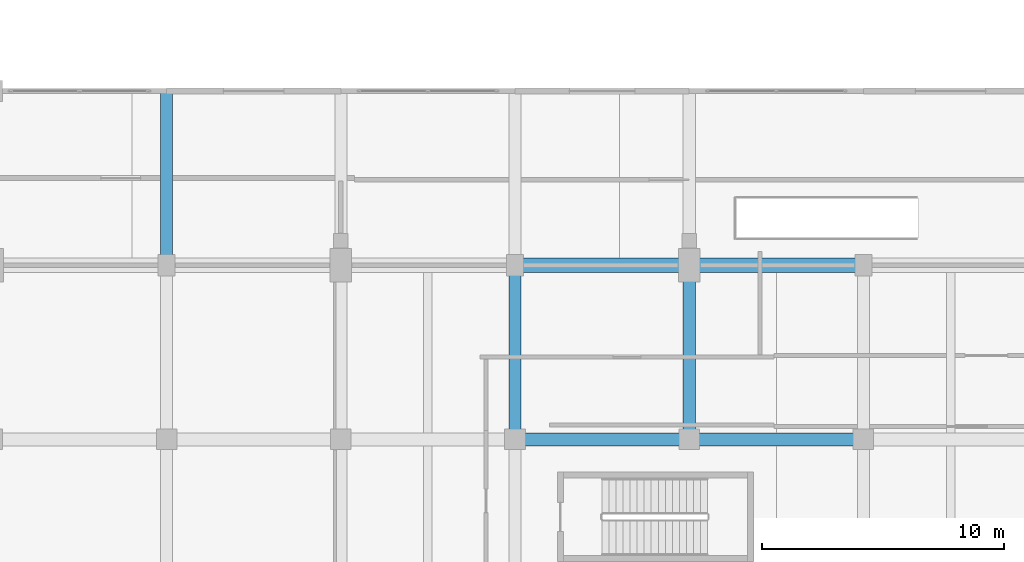
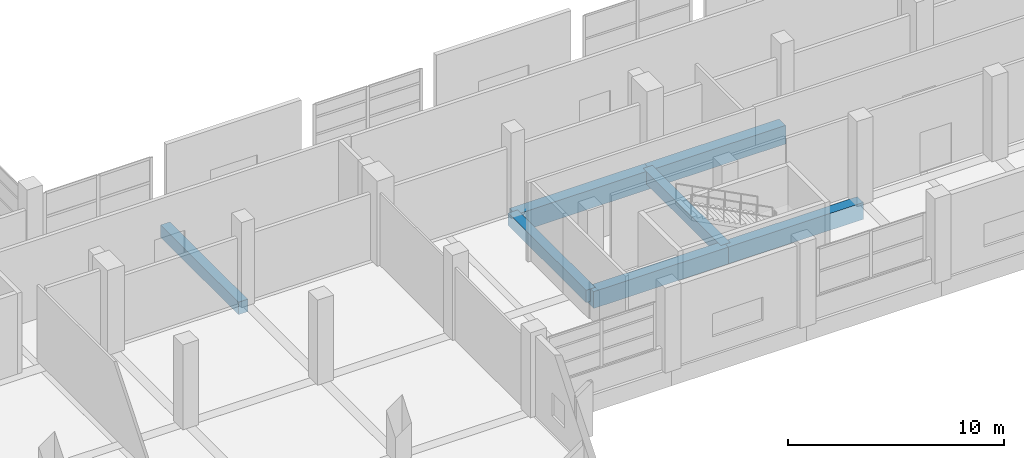
# One storey, part 75 of 181: 7 beams.
"""IFC4 building model written with IfcOpenShell, lengths in metres."""

from ifc_helpers import new_model, si_unit, direction, frame, origin, origin_2d, place, context, subcontext, project, spatial, rectangle, extrude, material, material_profile, profile_set, type_object, element, save


model = new_model("IFC4")

# Units and contexts
model_context = context("Model", 3, precision=1e-05, world=origin(), true_north=direction((0.0, 1.0)))
body_context = subcontext(model_context, "Body", "Model", "MODEL_VIEW")
ifc_project = project(units=[si_unit("LENGTHUNIT", "METRE"), si_unit("AREAUNIT", "SQUARE_METRE"), si_unit("VOLUMEUNIT", "CUBIC_METRE"), si_unit("PLANEANGLEUNIT", "RADIAN"), si_unit("MASSUNIT", "GRAM", prefix="KILO")], contexts=[model_context])

# Site, building, storey
site_placement = place(None, origin())
site = spatial("IfcSite", under=ifc_project, at=site_placement, CompositionType="ELEMENT")
building_placement = place(site_placement, origin())
building = spatial("IfcBuilding", under=site, at=building_placement, Name="Seraya Terrace Polytechnic", CompositionType="ELEMENT")
storey_placement = place(building_placement, frame((0.0, 0.0, 4.800048828125)))
storey = spatial("IfcBuildingStorey", under=building, at=storey_placement, Name="L01", CompositionType="ELEMENT", Elevation=4.800048828125)

# Beams
ifc_material = material(Name="Concrete C40/50", Category="concrete")
ifc_material_profile_1 = material_profile(ifc_material, rectangle(XDim=0.60009765625, YDim=1.050048828125, at=origin_2d()), Name="RC 600x1050")
ifc_profile_set_1 = profile_set([ifc_material_profile_1], Name="Concrete C40/50")
beam_type_1 = type_object("IfcBeamType", Name="BM-01", PredefinedType="BEAM", material=ifc_profile_set_1)
beam_1_placement = place(storey_placement, frame((50.39990234375, 79.199951171875, -0.525146484375), z_axis=(1.0, 0.0, 0.0), x_axis=(0.0, 1.0, 0.0)))
element("IfcBeam", 1, at=beam_1_placement, inside=storey, type_object=beam_type_1, Name="Beam BM-01 L01 X (50.4..57.6, 79.2)", PredefinedType="BEAM", context=body_context, shape_type="SweptSolid", body=[
    extrude(rectangle(XDim=0.60009765625, YDim=1.050048828125, at=origin_2d()), origin(), (0.0, 0.0, 1.0), 7.2001953125),
])
beam_2_placement = place(storey_placement, frame((57.60009765625, 79.199951171875, -0.525146484375), z_axis=(1.0, 0.0, 0.0), x_axis=(0.0, 1.0, 0.0)))
element("IfcBeam", 2, at=beam_2_placement, inside=storey, type_object=beam_type_1, Name="Beam BM-01 L01 X (57.6..64.8, 79.2)", PredefinedType="BEAM", context=body_context, shape_type="SweptSolid", body=[
    extrude(rectangle(XDim=0.60009765625, YDim=1.050048828125, at=origin_2d()), origin(), (0.0, 0.0, 1.0), 7.199951171875),
])
ifc_material_profile_2 = material_profile(ifc_material, rectangle(XDim=0.550048828125, YDim=0.949951171875, at=origin_2d()), Name="RC 550x950")
ifc_profile_set_2 = profile_set([ifc_material_profile_2], Name="Concrete C40/50")
beam_type_2 = type_object("IfcBeamType", Name="BM-03", PredefinedType="BEAM", material=ifc_profile_set_2)
beam_3_placement = place(storey_placement, frame((50.39990234375, 72.0, -0.47509765625), z_axis=(1.0, 0.0, 0.0), x_axis=(0.0, 1.0, 0.0)))
element("IfcBeam", 3, at=beam_3_placement, inside=storey, type_object=beam_type_2, Name="Beam BM-03 L01 X (50.4..57.6, 72.0)", PredefinedType="BEAM", context=body_context, shape_type="SweptSolid", body=[
    extrude(rectangle(XDim=0.550048828125, YDim=0.949951171875, at=origin_2d()), origin(), (0.0, 0.0, 1.0), 7.2001953125),
])
beam_4_placement = place(storey_placement, frame((57.60009765625, 72.0, -0.47509765625), z_axis=(1.0, 0.0, 0.0), x_axis=(0.0, 1.0, 0.0)))
element("IfcBeam", 4, at=beam_4_placement, inside=storey, type_object=beam_type_2, Name="Beam BM-03 L01 X (57.6..64.8, 72.0)", PredefinedType="BEAM", context=body_context, shape_type="SweptSolid", body=[
    extrude(rectangle(XDim=0.550048828125, YDim=0.949951171875, at=origin_2d()), origin(), (0.0, 0.0, 1.0), 7.199951171875),
])
ifc_material_profile_3 = material_profile(ifc_material, rectangle(XDim=0.5, YDim=0.699951171875, at=origin_2d()), Name="RC 500x700")
ifc_profile_set_3 = profile_set([ifc_material_profile_3], Name="Concrete C40/50")
beam_type_3 = type_object("IfcBeamType", Name="BM-07", PredefinedType="BEAM", material=ifc_profile_set_3)
for number, where, z_axis, x_axis, name in (
    (5, (36.0, 79.199951171875, -0.35009765625), (0.0, 1.0, 0.0), (-1.0, 0.0, 0.0), "Beam BM-07 L01 Y (36.0, 79.2..86.4)"),
    (6, (50.39990234375, 72.0, -0.35009765625), (0.0, 1.0, 0.0), (-1.0, 0.0, 0.0), "Beam BM-07 L01 Y (50.4, 72.0..79.2)"),
    (7, (57.60009765625, 72.0, -0.35009765625), (0.0, 1.0, 0.0), (-1.0, 0.0, 0.0), "Beam BM-07 L01 Y (57.6, 72.0..79.2)"),
):
    element("IfcBeam", number, at=place(storey_placement, frame(where, z_axis=z_axis, x_axis=x_axis)), inside=storey, type_object=beam_type_3, Name=name, PredefinedType="BEAM", context=body_context, shape_type="SweptSolid", body=[
        extrude(rectangle(XDim=0.5, YDim=0.699951171875, at=origin_2d()), origin(), (0.0, 0.0, 1.0), 7.199951171875),
    ])

save(model, "model.ifc")
